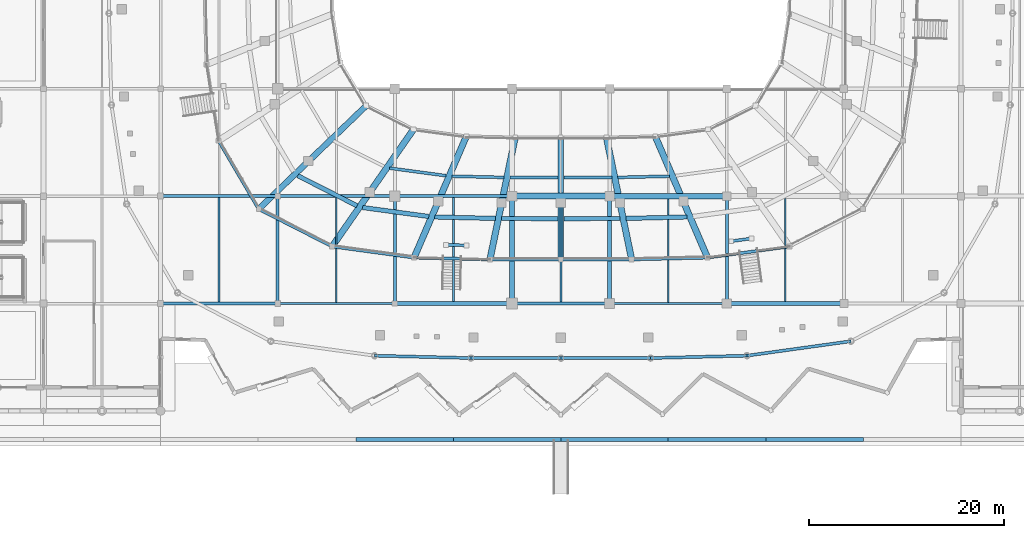
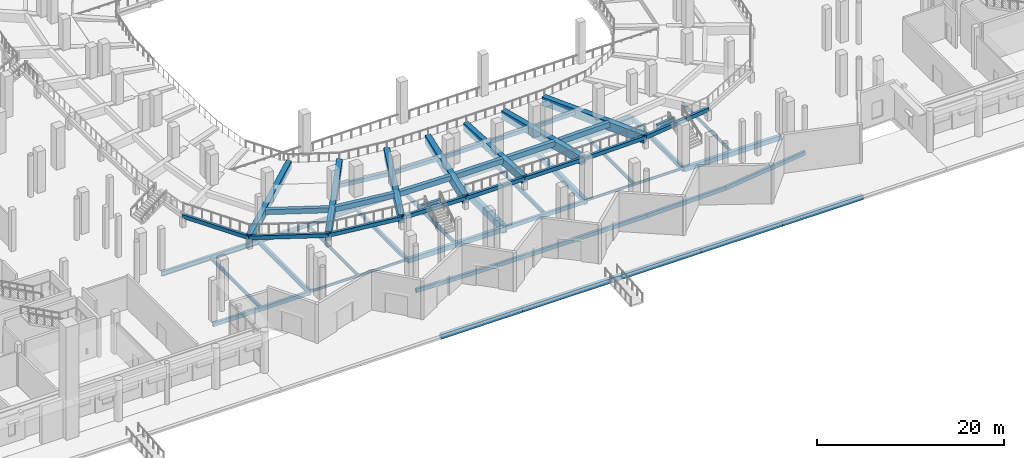
# One storey, part 19 of 120: 60 beams.
"""IFC4 building model written with IfcOpenShell, lengths in metres."""

from ifc_helpers import new_model, si_unit, direction, frame, origin, origin_2d, place, context, subcontext, project, spatial, rectangle, hollow_rectangle, i_section, extrude, material, material_profile, profile_set, type_object, element, save


model = new_model("IFC4")

# Units and contexts
model_context = context("Model", 3, precision=1e-05, world=origin(), true_north=direction((0.0, 1.0)))
body_context = subcontext(model_context, "Body", "Model", "MODEL_VIEW")
ifc_project = project(units=[si_unit("LENGTHUNIT", "METRE"), si_unit("AREAUNIT", "SQUARE_METRE"), si_unit("VOLUMEUNIT", "CUBIC_METRE"), si_unit("PLANEANGLEUNIT", "RADIAN"), si_unit("MASSUNIT", "GRAM", prefix="KILO")], contexts=[model_context])

# Site, building, storey
site_placement = place(None, origin())
site = spatial("IfcSite", under=ifc_project, at=site_placement, CompositionType="ELEMENT")
building_placement = place(site_placement, origin())
building = spatial("IfcBuilding", under=site, at=building_placement, Name="Luwafu Chhajja Arena", CompositionType="ELEMENT")
storey_placement = place(building_placement, origin())
storey = spatial("IfcBuildingStorey", under=building, at=storey_placement, Name="L00", CompositionType="ELEMENT", Elevation=0.0)

# Beams
ifc_material_1 = material(Name="Precast concrete C40/50", Category="concrete")
ifc_material_profile_1 = material_profile(ifc_material_1, rectangle(XDim=0.449951171875, YDim=0.64990234375, at=origin_2d()), Name="RC 450x650")
ifc_profile_set_1 = profile_set([ifc_material_profile_1], Name="Precast concrete C40/50")
beam_type_1 = type_object("IfcBeamType", Name="Bowl Tier Ring Beam RC 450x650", PredefinedType="BEAM", material=ifc_profile_set_1)
beam_1_placement = place(storey_placement, frame((72.055419921875, 24.095458984375, 1.304931640625), z_axis=(0.891546916396, -0.452928356216, 0.0), x_axis=(0.452928356216, 0.891546916396, 0.0)))
element("IfcBeam", 1, at=beam_1_placement, inside=storey, type_object=beam_type_1, Name="Lower Tier Ring Beam S21-B3", PredefinedType="BEAM", context=body_context, shape_type="SweptSolid", body=[
    extrude(rectangle(XDim=0.449951171875, YDim=0.64990234375, at=origin_2d()), origin(), (0.0, 0.0, 1.0), 6.807373046875),
])
beam_2_placement = place(storey_placement, frame((78.698486328125, 20.8330078125, 1.304931640625), z_axis=(0.990929994437, -0.134379113429, 0.0), x_axis=(0.134379113429, 0.990929994437, 0.0)))
element("IfcBeam", 2, at=beam_2_placement, inside=storey, type_object=beam_type_1, Name="Lower Tier Ring Beam S22-B3", PredefinedType="BEAM", context=body_context, shape_type="SweptSolid", body=[
    extrude(rectangle(XDim=0.449951171875, YDim=0.64990234375, at=origin_2d()), origin(), (0.0, 0.0, 1.0), 6.842041015625),
])
beam_3_placement = place(storey_placement, frame((86.085693359375, 19.865234375, 1.304931640625), z_axis=(0.999710285988, -0.024069567704, 0.0), x_axis=(0.024069567704, 0.999710285988, 0.0)))
element("IfcBeam", 3, at=beam_3_placement, inside=storey, type_object=beam_type_1, Name="Lower Tier Ring Beam S23-B3", PredefinedType="BEAM", context=body_context, shape_type="SweptSolid", body=[
    extrude(rectangle(XDim=0.449951171875, YDim=0.64990234375, at=origin_2d()), origin(), (0.0, 0.0, 1.0), 6.227783203125),
])
for number, where, z_axis, x_axis, name in (
    (4, (92.921630859375, 19.70751953125, 1.304931640625), (0.999999248071, -0.001226318428, 0.0), (0.001226318428, 0.999999248071, 0.0), "Lower Tier Ring Beam S24-B3"),
    (5, (99.304931640625, 19.700439453125, 1.304931640625), (0.999999248071, 0.001226318428, 0.0), (-0.001226318428, 0.999999248071, 0.0), "Lower Tier Ring Beam S25-B3"),
):
    element("IfcBeam", number, at=place(storey_placement, frame(where, z_axis=z_axis, x_axis=x_axis)), inside=storey, type_object=beam_type_1, Name=name, PredefinedType="BEAM", context=body_context, shape_type="SweptSolid", body=[
        extrude(rectangle(XDim=0.449951171875, YDim=0.64990234375, at=origin_2d()), origin(), (0.0, 0.0, 1.0), 5.7734375),
    ])
beam_4_placement = place(storey_placement, frame((105.688232421875, 19.71533203125, 1.304931640625), z_axis=(0.999710285988, 0.024069567704, 0.0), x_axis=(-0.024069567704, 0.999710285988, 0.0)))
element("IfcBeam", 6, at=beam_4_placement, inside=storey, type_object=beam_type_1, Name="Lower Tier Ring Beam S26-B3", PredefinedType="BEAM", context=body_context, shape_type="SweptSolid", body=[
    extrude(rectangle(XDim=0.449951171875, YDim=0.64990234375, at=origin_2d()), origin(), (0.0, 0.0, 1.0), 6.227783203125),
])
ifc_material_2 = material(Name="Steel S355", Category="steel")
ifc_material_profile_2 = material_profile(ifc_material_2, i_section(OverallWidth=0.165771484375, OverallDepth=0.306640625, WebThickness=0.006591796875, FlangeThickness=0.01171875, at=origin_2d()), Name="UB 305x165x46")
ifc_profile_set_2 = profile_set([ifc_material_profile_2], Name="Steel S355")
beam_type_2 = type_object("IfcBeamType", Name="Concourse Edge Spandrel Beam UB 305x165x46", PredefinedType="SPANDREL", material=ifc_profile_set_2)
for number, where, z_axis, x_axis, name in (
    (7, (70.0, 11.0, -0.50341796875), (1.0, 0.0, 0.0), (0.0, 1.0, 0.0), "L00 Grid Beam 7-8/B"),
    (8, (104.0, 11.0, -0.50341796875), (1.0, 0.0, 0.0), (0.0, 1.0, 0.0), "L00 Grid Beam 10-11/B"),
):
    element("IfcBeam", number, at=place(storey_placement, frame(where, z_axis=z_axis, x_axis=x_axis)), inside=storey, type_object=beam_type_2, Name=name, PredefinedType="SPANDREL", context=body_context, shape_type="SweptSolid", body=[
        extrude(i_section(OverallWidth=0.165771484375, OverallDepth=0.306640625, WebThickness=0.006591796875, FlangeThickness=0.01171875, at=origin_2d()), origin(), (0.0, 0.0, 1.0), 12.0),
    ])
ifc_material_3 = material(Name="Concrete C35/45", Category="concrete")
ifc_material_profile_3 = material_profile(ifc_material_3, rectangle(XDim=0.60009765625, YDim=0.89990234375, at=origin_2d()), Name="RC 600x900")
ifc_profile_set_3 = profile_set([ifc_material_profile_3], Name="Concrete C35/45")
beam_type_3 = type_object("IfcBeamType", Name="Concourse Primary Girder RC 600x900", PredefinedType="BEAM", material=ifc_profile_set_3)
beam_5_placement = place(storey_placement, frame((94.0, 22.0, -0.800048828125), z_axis=(1.0, 0.0, 0.0), x_axis=(0.0, 1.0, 0.0)))
element("IfcBeam", 9, at=beam_5_placement, inside=storey, type_object=beam_type_3, Name="L00 Grid Beam 9-10/C", PredefinedType="BEAM", context=body_context, shape_type="SweptSolid", body=[
    extrude(rectangle(XDim=0.60009765625, YDim=0.89990234375, at=origin_2d()), origin(), (0.0, 0.0, 1.0), 10.0),
])
ifc_material_profile_4 = material_profile(ifc_material_3, rectangle(XDim=0.550048828125, YDim=0.949951171875, at=origin_2d()), Name="RC 550x950")
ifc_profile_set_4 = profile_set([ifc_material_profile_4], Name="Concrete C35/45")
beam_type_4 = type_object("IfcBeamType", Name="Concourse Radial Girder RC 550x950", PredefinedType="BEAM", material=ifc_profile_set_4)
beam_6_placement = place(storey_placement, frame((104.0, 22.0, -0.824951171875), z_axis=(1.0, 0.0, 0.0), x_axis=(0.0, 1.0, 0.0)))
element("IfcBeam", 10, at=beam_6_placement, inside=storey, type_object=beam_type_4, Name="L00 Grid Beam 10-11/C", PredefinedType="BEAM", context=body_context, shape_type="SweptSolid", body=[
    extrude(rectangle(XDim=0.550048828125, YDim=0.949951171875, at=origin_2d()), origin(), (0.0, 0.0, 1.0), 12.0),
])
beam_7_placement = place(storey_placement, frame((94.0, 11.0, -0.824951171875), z_axis=(0.0, 1.0, 0.0), x_axis=(-1.0, 0.0, 0.0)))
element("IfcBeam", 11, at=beam_7_placement, inside=storey, type_object=beam_type_4, Name="L00 Grid Beam 9/B-C", PredefinedType="BEAM", context=body_context, shape_type="SweptSolid", body=[
    extrude(rectangle(XDim=0.550048828125, YDim=0.949951171875, at=origin_2d()), origin(), (0.0, 0.0, 1.0), 11.0),
])
ifc_material_profile_5 = material_profile(ifc_material_2, i_section(OverallWidth=0.15283203125, OverallDepth=0.45458984375, WebThickness=0.008056640625, FlangeThickness=0.01318359375, at=origin_2d()), Name="UB 457x152x60")
ifc_profile_set_5 = profile_set([ifc_material_profile_5], Name="Steel S355")
beam_type_5 = type_object("IfcBeamType", Name="Floor Joist UB 457x152x60", PredefinedType="JOIST", material=ifc_profile_set_5)
beam_8_placement = place(storey_placement, frame((76.0, 11.0830078125, -0.577392578125), z_axis=(0.0, 1.0, 0.0), x_axis=(-1.0, 0.0, 0.0)))
element("IfcBeam", 12, at=beam_8_placement, inside=storey, type_object=beam_type_5, Name="L00 Secondary Joist 7-8/B", PredefinedType="JOIST", context=body_context, shape_type="SweptSolid", body=[
    extrude(i_section(OverallWidth=0.15283203125, OverallDepth=0.45458984375, WebThickness=0.008056640625, FlangeThickness=0.01318359375, at=origin_2d()), origin(), (0.0, 0.0, 1.0), 10.76708984375),
])
beam_9_placement = place(storey_placement, frame((122.0, 11.199951171875, -0.577392578125), z_axis=(0.0, 1.0, 0.0), x_axis=(-1.0, 0.0, 0.0)))
element("IfcBeam", 13, at=beam_9_placement, inside=storey, type_object=beam_type_5, Name="L00 Secondary Joist 11-12/B", PredefinedType="JOIST", context=body_context, shape_type="SweptSolid", body=[
    extrude(i_section(OverallWidth=0.15283203125, OverallDepth=0.45458984375, WebThickness=0.008056640625, FlangeThickness=0.01318359375, at=origin_2d()), origin(), (0.0, 0.0, 1.0), 10.550048828125),
])
ifc_material_profile_6 = material_profile(ifc_material_2, i_section(OverallWidth=0.19140625, OverallDepth=0.4599609375, WebThickness=0.010009765625, FlangeThickness=0.01611328125, at=origin_2d()), Name="UB 457x191x82")
ifc_profile_set_6 = profile_set([ifc_material_profile_6], Name="Steel S355")
beam_type_6 = type_object("IfcBeamType", Name="Floor Joist UB 457x191x82", PredefinedType="JOIST", material=ifc_profile_set_6)
beam_10_placement = place(storey_placement, frame((64.0, 11.14990234375, -0.580078125), z_axis=(0.0, 1.0, 0.0), x_axis=(-1.0, 0.0, 0.0)))
element("IfcBeam", 14, at=beam_10_placement, inside=storey, type_object=beam_type_6, Name="L00 Secondary Joist 6-7/B", PredefinedType="JOIST", context=body_context, shape_type="SweptSolid", body=[
    extrude(i_section(OverallWidth=0.19140625, OverallDepth=0.4599609375, WebThickness=0.010009765625, FlangeThickness=0.01611328125, at=origin_2d()), origin(), (0.0, 0.0, 1.0), 10.7001953125),
])
beam_11_placement = place(storey_placement, frame((110.0, 11.0830078125, -0.580078125), z_axis=(0.0, 1.0, 0.0), x_axis=(-1.0, 0.0, 0.0)))
element("IfcBeam", 15, at=beam_11_placement, inside=storey, type_object=beam_type_6, Name="L00 Secondary Joist 10-11/B", PredefinedType="JOIST", context=body_context, shape_type="SweptSolid", body=[
    extrude(i_section(OverallWidth=0.19140625, OverallDepth=0.4599609375, WebThickness=0.010009765625, FlangeThickness=0.01611328125, at=origin_2d()), origin(), (0.0, 0.0, 1.0), 10.64208984375),
])
ifc_material_profile_7 = material_profile(ifc_material_2, i_section(OverallWidth=0.2099609375, OverallDepth=0.53662109375, WebThickness=0.0107421875, FlangeThickness=0.017333984375, at=origin_2d()), Name="UB 533x210x101")
ifc_profile_set_7 = profile_set([ifc_material_profile_7], Name="Steel S355")
beam_type_7 = type_object("IfcBeamType", Name="Floor Joist UB 533x210x101", PredefinedType="JOIST", material=ifc_profile_set_7)
beam_12_placement = place(storey_placement, frame((88.0, 11.199951171875, -0.618408203125), z_axis=(0.0, 1.0, 0.0), x_axis=(-1.0, 0.0, 0.0)))
element("IfcBeam", 16, at=beam_12_placement, inside=storey, type_object=beam_type_7, Name="L00 Secondary Joist 8-9/B", PredefinedType="JOIST", context=body_context, shape_type="SweptSolid", body=[
    extrude(i_section(OverallWidth=0.2099609375, OverallDepth=0.53662109375, WebThickness=0.0107421875, FlangeThickness=0.017333984375, at=origin_2d()), origin(), (0.0, 0.0, 1.0), 10.650146484375),
])
ifc_material_profile_8 = material_profile(ifc_material_2, i_section(OverallWidth=0.209228515625, OverallDepth=0.533203125, WebThickness=0.010009765625, FlangeThickness=0.015625, at=origin_2d()), Name="UB 533x210x92")
ifc_profile_set_8 = profile_set([ifc_material_profile_8], Name="Steel S355")
beam_type_8 = type_object("IfcBeamType", Name="Floor Joist UB 533x210x92", PredefinedType="JOIST", material=ifc_profile_set_8)
beam_13_placement = place(storey_placement, frame((99.0, 11.14990234375, -0.616455078125), z_axis=(0.0, 1.0, 0.0), x_axis=(-1.0, 0.0, 0.0)))
element("IfcBeam", 17, at=beam_13_placement, inside=storey, type_object=beam_type_8, Name="L00 Secondary Joist 9-10/B", PredefinedType="JOIST", context=body_context, shape_type="SweptSolid", body=[
    extrude(i_section(OverallWidth=0.209228515625, OverallDepth=0.533203125, WebThickness=0.010009765625, FlangeThickness=0.015625, at=origin_2d()), origin(), (0.0, 0.0, 1.0), 10.550048828125),
])
ifc_material_profile_9 = material_profile(ifc_material_2, hollow_rectangle(XDim=0.300048828125, YDim=0.5, WallThickness=0.02001953125, at=origin_2d()), Name="RHS 500x300x20")
ifc_profile_set_9 = profile_set([ifc_material_profile_9], Name="Steel S355")
beam_type_9 = type_object("IfcBeamType", Name="Pleated Drum Spandrel Beam RHS 500x300", PredefinedType="SPANDREL", material=ifc_profile_set_9)
beam_14_placement = place(storey_placement, frame((58.0, 11.0, -0.60009765625), z_axis=(1.0, 0.0, 0.0), x_axis=(0.0, 1.0, 0.0)))
element("IfcBeam", 18, at=beam_14_placement, inside=storey, type_object=beam_type_9, Name="L00 Grid Beam 6-7/B", PredefinedType="SPANDREL", context=body_context, shape_type="SweptSolid", body=[
    extrude(hollow_rectangle(XDim=0.300048828125, YDim=0.5, WallThickness=0.02001953125, at=origin_2d()), origin(), (0.0, 0.0, 1.0), 12.0),
])
beam_15_placement = place(storey_placement, frame((94.0, 11.0, -0.60009765625), z_axis=(1.0, 0.0, 0.0), x_axis=(0.0, 1.0, 0.0)))
element("IfcBeam", 19, at=beam_15_placement, inside=storey, type_object=beam_type_9, Name="L00 Grid Beam 9-10/B", PredefinedType="SPANDREL", context=body_context, shape_type="SweptSolid", body=[
    extrude(hollow_rectangle(XDim=0.300048828125, YDim=0.5, WallThickness=0.02001953125, at=origin_2d()), origin(), (0.0, 0.0, 1.0), 10.0),
])
beam_16_placement = place(storey_placement, frame((79.932861328125, 5.6552734375, -0.60009765625), z_axis=(0.999695420837, -0.024679253567, 0.0), x_axis=(0.024679253567, 0.999695420837, 0.0)))
element("IfcBeam", 20, at=beam_16_placement, inside=storey, type_object=beam_type_9, Name="L00 Drum Ring Spandrel D23-D24", PredefinedType="SPANDREL", context=body_context, shape_type="SweptSolid", body=[
    extrude(hollow_rectangle(XDim=0.300048828125, YDim=0.5, WallThickness=0.02001953125, at=origin_2d()), origin(), (0.0, 0.0, 1.0), 9.86279296875),
])
for number, where, z_axis, x_axis, name in (
    (21, (89.792724609375, 5.411865234375, -0.60009765625), (0.999999155928, -0.001299285621, 0.0), (0.001299285621, 0.999999155928, 0.0), "L00 Drum Ring Spandrel D24-D25"),
    (22, (99.0, 5.39990234375, -0.60009765625), (0.999999155928, 0.001299285621, 0.0), (-0.001299285621, 0.999999155928, 0.0), "L00 Drum Ring Spandrel D25-D26"),
):
    element("IfcBeam", number, at=place(storey_placement, frame(where, z_axis=z_axis, x_axis=x_axis)), inside=storey, type_object=beam_type_9, Name=name, PredefinedType="SPANDREL", context=body_context, shape_type="SweptSolid", body=[
        extrude(hollow_rectangle(XDim=0.300048828125, YDim=0.5, WallThickness=0.02001953125, at=origin_2d()), origin(), (0.0, 0.0, 1.0), 9.207275390625),
    ])
beam_17_placement = place(storey_placement, frame((108.207275390625, 5.411865234375, -0.60009765625), z_axis=(0.999695420837, 0.024679253567, 0.0), x_axis=(-0.024679253567, 0.999695420837, 0.0)))
element("IfcBeam", 23, at=beam_17_placement, inside=storey, type_object=beam_type_9, Name="L00 Drum Ring Spandrel D26-D27", PredefinedType="SPANDREL", context=body_context, shape_type="SweptSolid", body=[
    extrude(hollow_rectangle(XDim=0.300048828125, YDim=0.5, WallThickness=0.02001953125, at=origin_2d()), origin(), (0.0, 0.0, 1.0), 9.86279296875),
])
beam_18_placement = place(storey_placement, frame((118.067138671875, 5.6552734375, -0.60009765625), z_axis=(0.990458730054, 0.137809666058, 0.0), x_axis=(-0.137809666058, 0.990458730054, 0.0)))
element("IfcBeam", 24, at=beam_18_placement, inside=storey, type_object=beam_type_9, Name="L00 Drum Ring Spandrel D27-D28", PredefinedType="SPANDREL", context=body_context, shape_type="SweptSolid", body=[
    extrude(hollow_rectangle(XDim=0.300048828125, YDim=0.5, WallThickness=0.02001953125, at=origin_2d()), origin(), (0.0, 0.0, 1.0), 10.75341796875),
])
ifc_material_profile_10 = material_profile(ifc_material_3, rectangle(XDim=0.39990234375, YDim=0.60009765625, at=origin_2d()), Name="RC 400x600")
ifc_profile_set_10 = profile_set([ifc_material_profile_10], Name="Concrete C35/45")
beam_type_10 = type_object("IfcBeamType", Name="Podium Perimeter Spandrel RC 400x600", PredefinedType="SPANDREL", material=ifc_profile_set_10)
for number, where, z_axis, x_axis, name in (
    (25, (82.0, 11.0, -0.64990234375), (1.0, 0.0, 0.0), (0.0, 1.0, 0.0), "L00 Grid Beam 8-9/B"),
    (26, (116.0, 11.0, -0.64990234375), (1.0, 0.0, 0.0), (0.0, 1.0, 0.0), "L00 Grid Beam 11-12/B"),
):
    element("IfcBeam", number, at=place(storey_placement, frame(where, z_axis=z_axis, x_axis=x_axis)), inside=storey, type_object=beam_type_10, Name=name, PredefinedType="SPANDREL", context=body_context, shape_type="SweptSolid", body=[
        extrude(rectangle(XDim=0.39990234375, YDim=0.60009765625, at=origin_2d()), origin(), (0.0, 0.0, 1.0), 12.0),
    ])
beam_19_placement = place(storey_placement, frame((78.0, -2.949951171875, -0.659912109375), z_axis=(1.0, 0.0, 0.0), x_axis=(0.0, 1.0, 0.0)))
element("IfcBeam", 27, at=beam_19_placement, inside=storey, type_object=beam_type_10, Name="L00 Forecourt Plinth Edge Beam 08", PredefinedType="SPANDREL", context=body_context, shape_type="SweptSolid", body=[
    extrude(rectangle(XDim=0.39990234375, YDim=0.60009765625, at=origin_2d()), origin(), (0.0, 0.0, 1.0), 10.0),
])
for number, where, z_axis, x_axis, name in (
    (28, (88.0, -2.949951171875, -0.659912109375), (1.0, 0.0, 0.0), (0.0, 1.0, 0.0), "L00 Forecourt Plinth Edge Beam 09"),
    (29, (99.0, -2.949951171875, -0.659912109375), (1.0, 0.0, 0.0), (0.0, 1.0, 0.0), "L00 Forecourt Plinth Edge Beam 10"),
):
    element("IfcBeam", number, at=place(storey_placement, frame(where, z_axis=z_axis, x_axis=x_axis)), inside=storey, type_object=beam_type_10, Name=name, PredefinedType="SPANDREL", context=body_context, shape_type="SweptSolid", body=[
        extrude(rectangle(XDim=0.39990234375, YDim=0.60009765625, at=origin_2d()), origin(), (0.0, 0.0, 1.0), 11.0),
    ])
for number, where, z_axis, x_axis, name in (
    (30, (110.0, -2.949951171875, -0.659912109375), (1.0, 0.0, 0.0), (0.0, 1.0, 0.0), "L00 Forecourt Plinth Edge Beam 11"),
    (31, (120.0, -2.949951171875, -0.659912109375), (1.0, 0.0, 0.0), (0.0, 1.0, 0.0), "L00 Forecourt Plinth Edge Beam 12"),
):
    element("IfcBeam", number, at=place(storey_placement, frame(where, z_axis=z_axis, x_axis=x_axis)), inside=storey, type_object=beam_type_10, Name=name, PredefinedType="SPANDREL", context=body_context, shape_type="SweptSolid", body=[
        extrude(rectangle(XDim=0.39990234375, YDim=0.60009765625, at=origin_2d()), origin(), (0.0, 0.0, 1.0), 10.0),
    ])
ifc_material_4 = material(Name="Precast concrete C45/55", Category="concrete")
ifc_material_profile_11 = material_profile(ifc_material_4, rectangle(XDim=0.60009765625, YDim=1.0, at=origin_2d()), Name="PC 600x1000")
ifc_profile_set_11 = profile_set([ifc_material_profile_11], Name="Precast concrete C45/55")
beam_type_11 = type_object("IfcBeamType", Name="Precast Corner Bowl Raker PC 600x1000", PredefinedType="USERDEFINED", material=ifc_profile_set_11)
beam_20_placement = place(storey_placement, frame((79.0751953125, 31.27099609375, 0.580078125), z_axis=(-0.720075668487, -0.692387198367, 0.045727444604), x_axis=(0.693112226125, -0.720829690007, 0.0)))
element("IfcBeam", 32, at=beam_20_placement, inside=storey, type_object=beam_type_11, Name="Lower Bowl Raker RKR-L21", ObjectType="RAKER", PredefinedType="USERDEFINED", context=body_context, shape_type="SweptSolid", body=[
    extrude(rectangle(XDim=0.60009765625, YDim=1.0, at=origin_2d()), origin(), (0.0, 0.0, 1.0), 15.30712890625),
])
beam_21_placement = place(storey_placement, frame((99.0, 28.0, 0.580078125), z_axis=(0.0, -0.998435896042, 0.055908510038), x_axis=(1.0, 0.0, 0.0)))
element("IfcBeam", 33, at=beam_21_placement, inside=storey, type_object=beam_type_11, Name="Lower Bowl Raker RKR-L25", ObjectType="RAKER", PredefinedType="USERDEFINED", context=body_context, shape_type="SweptSolid", body=[
    extrude(rectangle(XDim=0.60009765625, YDim=1.0, at=origin_2d()), origin(), (0.0, 0.0, 1.0), 12.51953125),
])
ifc_material_profile_12 = material_profile(ifc_material_4, rectangle(XDim=0.64990234375, YDim=1.10009765625, at=origin_2d()), Name="PC 650x1100")
ifc_profile_set_12 = profile_set([ifc_material_profile_12], Name="Precast concrete C45/55")
beam_type_12 = type_object("IfcBeamType", Name="Precast Lower Bowl Raker PC 650x1100", PredefinedType="USERDEFINED", material=ifc_profile_set_12)
beam_22_placement = place(storey_placement, frame((83.91650390625, 28.846923828125, 0.530029296875), z_axis=(-0.570003729525, -0.820249676085, 0.047814403785), x_axis=(0.821188921344, -0.570656425059, 0.0)))
element("IfcBeam", 34, at=beam_22_placement, inside=storey, type_object=beam_type_12, Name="Lower Bowl Raker RKR-L22", ObjectType="RAKER", PredefinedType="USERDEFINED", context=body_context, shape_type="SweptSolid", body=[
    extrude(rectangle(XDim=0.64990234375, YDim=1.10009765625, at=origin_2d()), origin(), (0.0, 0.0, 1.0), 14.638916015625),
])
beam_23_placement = place(storey_placement, frame((89.322265625, 28.12451171875, 0.530029296875), z_axis=(-0.395097554178, -0.917185602785, 0.051657455665), x_axis=(0.918411808978, -0.395625769041, 0.0)))
element("IfcBeam", 35, at=beam_23_placement, inside=storey, type_object=beam_type_12, Name="Lower Bowl Raker RKR-L23", ObjectType="RAKER", PredefinedType="USERDEFINED", context=body_context, shape_type="SweptSolid", body=[
    extrude(rectangle(XDim=0.64990234375, YDim=1.10009765625, at=origin_2d()), origin(), (0.0, 0.0, 1.0), 13.5498046875),
])
for number, where, z_axis, x_axis, name in (
    (36, (94.326904296875, 28.005859375, 0.530029296875), (-0.20227940935, -0.97779524478, 0.054767689735), (0.979265000346, -0.202583462053, 0.0), "Lower Bowl Raker RKR-L24"),
    (37, (103.673095703125, 28.005859375, 0.530029296875), (0.20227940935, -0.97779524478, 0.054767689735), (0.979265000346, 0.202583462053, 0.0), "Lower Bowl Raker RKR-L26"),
):
    element("IfcBeam", number, at=place(storey_placement, frame(where, z_axis=z_axis, x_axis=x_axis)), inside=storey, type_object=beam_type_12, Name=name, ObjectType="RAKER", PredefinedType="USERDEFINED", context=body_context, shape_type="SweptSolid", body=[
        extrude(rectangle(XDim=0.64990234375, YDim=1.10009765625, at=origin_2d()), origin(), (0.0, 0.0, 1.0), 12.7802734375),
    ])
beam_24_placement = place(storey_placement, frame((108.677734375, 28.12451171875, 0.530029296875), z_axis=(0.395097554178, -0.917185602785, 0.051657455665), x_axis=(0.918411808978, 0.395625769041, 0.0)))
element("IfcBeam", 38, at=beam_24_placement, inside=storey, type_object=beam_type_12, Name="Lower Bowl Raker RKR-L27", ObjectType="RAKER", PredefinedType="USERDEFINED", context=body_context, shape_type="SweptSolid", body=[
    extrude(rectangle(XDim=0.64990234375, YDim=1.10009765625, at=origin_2d()), origin(), (0.0, 0.0, 1.0), 13.5498046875),
])
ifc_material_profile_13 = material_profile(ifc_material_2, i_section(OverallWidth=0.300048828125, OverallDepth=0.5, WebThickness=0.014404296875, FlangeThickness=0.028076171875, at=origin_2d()), Name="HEB 500")
ifc_profile_set_13 = profile_set([ifc_material_profile_13], Name="Steel S355")
beam_type_13 = type_object("IfcBeamType", Name="Steel Atrium Tie Girder HEB 500", PredefinedType="BEAM", material=ifc_profile_set_13)
beam_25_placement = place(storey_placement, frame((70.0, 22.0, -0.60009765625), z_axis=(1.0, 0.0, 0.0), x_axis=(0.0, 1.0, 0.0)))
element("IfcBeam", 39, at=beam_25_placement, inside=storey, type_object=beam_type_13, Name="L00 Grid Beam 7-8/C", PredefinedType="BEAM", context=body_context, shape_type="SweptSolid", body=[
    extrude(i_section(OverallWidth=0.300048828125, OverallDepth=0.5, WebThickness=0.014404296875, FlangeThickness=0.028076171875, at=origin_2d()), origin(), (0.0, 0.0, 1.0), 12.0),
])
beam_26_placement = place(storey_placement, frame((82.0, 11.0, -0.60009765625), z_axis=(0.0, 1.0, 0.0), x_axis=(-1.0, 0.0, 0.0)))
element("IfcBeam", 40, at=beam_26_placement, inside=storey, type_object=beam_type_13, Name="L00 Grid Beam 8/B-C", PredefinedType="BEAM", context=body_context, shape_type="SweptSolid", body=[
    extrude(i_section(OverallWidth=0.300048828125, OverallDepth=0.5, WebThickness=0.014404296875, FlangeThickness=0.028076171875, at=origin_2d()), origin(), (0.0, 0.0, 1.0), 11.0),
])
ifc_material_profile_14 = material_profile(ifc_material_2, i_section(OverallWidth=0.300048828125, OverallDepth=0.60009765625, WebThickness=0.015380859375, FlangeThickness=0.030029296875, at=origin_2d()), Name="HEB 600")
ifc_profile_set_14 = profile_set([ifc_material_profile_14], Name="Steel S355")
beam_type_14 = type_object("IfcBeamType", Name="Steel Gallery Girder HEB 600", PredefinedType="BEAM", material=ifc_profile_set_14)
beam_27_placement = place(storey_placement, frame((58.0, 22.0, -0.64990234375), z_axis=(1.0, 0.0, 0.0), x_axis=(0.0, 1.0, 0.0)))
element("IfcBeam", 41, at=beam_27_placement, inside=storey, type_object=beam_type_14, Name="L00 Grid Beam 6-7/C", PredefinedType="BEAM", context=body_context, shape_type="SweptSolid", body=[
    extrude(i_section(OverallWidth=0.300048828125, OverallDepth=0.60009765625, WebThickness=0.015380859375, FlangeThickness=0.030029296875, at=origin_2d()), origin(), (0.0, 0.0, 1.0), 12.0),
])
ifc_material_profile_15 = material_profile(ifc_material_2, i_section(OverallWidth=0.30712890625, OverallDepth=0.6201171875, WebThickness=0.01416015625, FlangeThickness=0.023681640625, at=origin_2d()), Name="UB 610x305x179")
ifc_profile_set_15 = profile_set([ifc_material_profile_15], Name="Steel S355")
beam_type_15 = type_object("IfcBeamType", Name="Steel Hospitality Girder UB 610x305x179", PredefinedType="BEAM", material=ifc_profile_set_15)
for number, where, z_axis, x_axis, name in (
    (42, (70.0, 11.0, -0.66015625), (0.0, 1.0, 0.0), (-1.0, 0.0, 0.0), "L00 Grid Beam 7/B-C"),
    (43, (116.0, 11.0, -0.66015625), (0.0, 1.0, 0.0), (-1.0, 0.0, 0.0), "L00 Grid Beam 11/B-C"),
):
    element("IfcBeam", number, at=place(storey_placement, frame(where, z_axis=z_axis, x_axis=x_axis)), inside=storey, type_object=beam_type_15, Name=name, PredefinedType="BEAM", context=body_context, shape_type="SweptSolid", body=[
        extrude(i_section(OverallWidth=0.30712890625, OverallDepth=0.6201171875, WebThickness=0.01416015625, FlangeThickness=0.023681640625, at=origin_2d()), origin(), (0.0, 0.0, 1.0), 11.0),
    ])
ifc_material_profile_16 = material_profile(ifc_material_2, i_section(OverallWidth=0.300048828125, OverallDepth=0.39990234375, WebThickness=0.013427734375, FlangeThickness=0.02392578125, at=origin_2d()), Name="HEB 400")
ifc_profile_set_16 = profile_set([ifc_material_profile_16], Name="Steel S355")
beam_type_16 = type_object("IfcBeamType", Name="Steel Rigging Grid Beam HEB 400", PredefinedType="BEAM", material=ifc_profile_set_16)
beam_28_placement = place(storey_placement, frame((82.0, 22.0, -0.550048828125), z_axis=(1.0, 0.0, 0.0), x_axis=(0.0, 1.0, 0.0)))
element("IfcBeam", 44, at=beam_28_placement, inside=storey, type_object=beam_type_16, Name="L00 Grid Beam 8-9/C", PredefinedType="BEAM", context=body_context, shape_type="SweptSolid", body=[
    extrude(i_section(OverallWidth=0.300048828125, OverallDepth=0.39990234375, WebThickness=0.013427734375, FlangeThickness=0.02392578125, at=origin_2d()), origin(), (0.0, 0.0, 1.0), 12.0),
])
ifc_material_profile_17 = material_profile(ifc_material_1, rectangle(XDim=0.300048828125, YDim=0.5, at=origin_2d()), Name="RC 300x500")
ifc_profile_set_17 = profile_set([ifc_material_profile_17], Name="Precast concrete C40/50")
beam_type_17 = type_object("IfcBeamType", Name="Tier Support Beam RC 300x500", PredefinedType="BEAM", material=ifc_profile_set_17)
beam_29_placement = place(storey_placement, frame((63.93798828125, 27.677001953125, 1.3798828125), z_axis=(0.506540670535, -0.862216068682, 0.0), x_axis=(0.862216068682, 0.506540670535, 0.0)))
element("IfcBeam", 45, at=beam_29_placement, inside=storey, type_object=beam_type_17, Name="Lower Tier Outer Ring Beam S20", PredefinedType="BEAM", context=body_context, shape_type="SweptSolid", body=[
    extrude(rectangle(XDim=0.300048828125, YDim=0.5, at=origin_2d()), origin(), (0.0, 0.0, 1.0), 8.123779296875),
])
beam_30_placement = place(storey_placement, frame((68.052978515625, 20.672607421875, 1.3798828125), z_axis=(0.890911425489, -0.45417709314, 0.0), x_axis=(0.45417709314, 0.890911425489, 0.0)))
element("IfcBeam", 46, at=beam_30_placement, inside=storey, type_object=beam_type_17, Name="Lower Tier Outer Ring Beam S21", PredefinedType="BEAM", context=body_context, shape_type="SweptSolid", body=[
    extrude(rectangle(XDim=0.300048828125, YDim=0.5, at=origin_2d()), origin(), (0.0, 0.0, 1.0), 8.43994140625),
])
beam_31_placement = place(storey_placement, frame((75.572265625, 16.83935546875, 1.3798828125), z_axis=(0.990867998355, -0.134835491751, 0.0), x_axis=(0.134835491751, 0.990867998355, 0.0)))
element("IfcBeam", 47, at=beam_31_placement, inside=storey, type_object=beam_type_17, Name="Lower Tier Outer Ring Beam S22", PredefinedType="BEAM", context=body_context, shape_type="SweptSolid", body=[
    extrude(rectangle(XDim=0.300048828125, YDim=0.5, at=origin_2d()), origin(), (0.0, 0.0, 1.0), 8.473876953125),
])
beam_32_placement = place(storey_placement, frame((81.458740234375, 24.867919921875, 0.8798828125), z_axis=(0.991070646103, -0.133337820715, 0.0), x_axis=(0.133337820715, 0.991070646103, 0.0)))
element("IfcBeam", 48, at=beam_32_placement, inside=storey, type_object=beam_type_17, Name="Lower Tier Ring Beam S22-B2", PredefinedType="BEAM", context=body_context, shape_type="SweptSolid", body=[
    extrude(rectangle(XDim=0.300048828125, YDim=0.5, at=origin_2d()), origin(), (0.0, 0.0, 1.0), 5.8427734375),
])
beam_33_placement = place(storey_placement, frame((83.96875, 15.69677734375, 1.3798828125), z_axis=(0.999709188612, -0.024115103237, 0.0), x_axis=(0.024115103237, 0.999709188612, 0.0)))
element("IfcBeam", 49, at=beam_33_placement, inside=storey, type_object=beam_type_17, Name="Lower Tier Outer Ring Beam S23", PredefinedType="BEAM", context=body_context, shape_type="SweptSolid", body=[
    extrude(rectangle(XDim=0.300048828125, YDim=0.5, at=origin_2d()), origin(), (0.0, 0.0, 1.0), 7.775146484375),
])
beam_34_placement = place(storey_placement, frame((87.8564453125, 24.041015625, 0.8798828125), z_axis=(0.99971544851, -0.023854182234, 0.0), x_axis=(0.023854182234, 0.99971544851, 0.0)))
element("IfcBeam", 50, at=beam_34_placement, inside=storey, type_object=beam_type_17, Name="Lower Tier Ring Beam S23-B2", PredefinedType="BEAM", context=body_context, shape_type="SweptSolid", body=[
    extrude(rectangle(XDim=0.300048828125, YDim=0.5, at=origin_2d()), origin(), (0.0, 0.0, 1.0), 5.311767578125),
])
beam_35_placement = place(storey_placement, frame((87.158447265625, 17.00830078125, 0.89990234375), z_axis=(0.999709654452, -0.024095783772, 0.0), x_axis=(0.024095783772, 0.999709654452, 0.0)))
element("IfcBeam", 51, at=beam_35_placement, inside=storey, type_object=beam_type_17, Name="L00 Vomitory Header Beam S23", PredefinedType="BEAM", context=body_context, shape_type="SweptSolid", body=[
    extrude(rectangle(XDim=0.300048828125, YDim=0.5, at=origin_2d()), origin(), (0.0, 0.0, 1.0), 2.300048828125),
])
beam_36_placement = place(storey_placement, frame((91.74169921875, 15.50927734375, 1.3798828125), z_axis=(0.999999183141, -0.001278169154, 0.0), x_axis=(0.001278169154, 0.999999183141, 0.0)))
element("IfcBeam", 52, at=beam_36_placement, inside=storey, type_object=beam_type_17, Name="Lower Tier Outer Ring Beam S24", PredefinedType="BEAM", context=body_context, shape_type="SweptSolid", body=[
    extrude(rectangle(XDim=0.300048828125, YDim=0.5, at=origin_2d()), origin(), (0.0, 0.0, 1.0), 7.25830078125),
])
beam_37_placement = place(storey_placement, frame((93.776611328125, 23.906494140625, 0.8798828125), z_axis=(0.999999230033, -0.001240940174, 0.0), x_axis=(0.001240940174, 0.999999230033, 0.0)))
element("IfcBeam", 53, at=beam_37_placement, inside=storey, type_object=beam_type_17, Name="Lower Tier Ring Beam S24-B2", PredefinedType="BEAM", context=body_context, shape_type="SweptSolid", body=[
    extrude(rectangle(XDim=0.300048828125, YDim=0.5, at=origin_2d()), origin(), (0.0, 0.0, 1.0), 4.91845703125),
])
beam_38_placement = place(storey_placement, frame((99.0, 15.5, 1.3798828125), z_axis=(0.999999183141, 0.001278169154, 0.0), x_axis=(-0.001278169154, 0.999999183141, 0.0)))
element("IfcBeam", 54, at=beam_38_placement, inside=storey, type_object=beam_type_17, Name="Lower Tier Outer Ring Beam S25", PredefinedType="BEAM", context=body_context, shape_type="SweptSolid", body=[
    extrude(rectangle(XDim=0.300048828125, YDim=0.5, at=origin_2d()), origin(), (0.0, 0.0, 1.0), 7.25830078125),
])
beam_39_placement = place(storey_placement, frame((99.304931640625, 23.900390625, 0.8798828125), z_axis=(0.999999230033, 0.001240940174, 0.0), x_axis=(-0.001240940174, 0.999999230033, 0.0)))
element("IfcBeam", 55, at=beam_39_placement, inside=storey, type_object=beam_type_17, Name="Lower Tier Ring Beam S25-B2", PredefinedType="BEAM", context=body_context, shape_type="SweptSolid", body=[
    extrude(rectangle(XDim=0.300048828125, YDim=0.5, at=origin_2d()), origin(), (0.0, 0.0, 1.0), 4.91845703125),
])
beam_40_placement = place(storey_placement, frame((106.25830078125, 15.50927734375, 1.3798828125), z_axis=(0.999709188612, 0.024115103237, 0.0), x_axis=(-0.024115103237, 0.999709188612, 0.0)))
element("IfcBeam", 56, at=beam_40_placement, inside=storey, type_object=beam_type_17, Name="Lower Tier Outer Ring Beam S26", PredefinedType="BEAM", context=body_context, shape_type="SweptSolid", body=[
    extrude(rectangle(XDim=0.300048828125, YDim=0.5, at=origin_2d()), origin(), (0.0, 0.0, 1.0), 7.775146484375),
])
beam_41_placement = place(storey_placement, frame((104.833251953125, 23.914306640625, 0.8798828125), z_axis=(0.99971544851, 0.023854182234, 0.0), x_axis=(-0.023854182234, 0.99971544851, 0.0)))
element("IfcBeam", 57, at=beam_41_placement, inside=storey, type_object=beam_type_17, Name="Lower Tier Ring Beam S26-B2", PredefinedType="BEAM", context=body_context, shape_type="SweptSolid", body=[
    extrude(rectangle(XDim=0.300048828125, YDim=0.5, at=origin_2d()), origin(), (0.0, 0.0, 1.0), 5.311767578125),
])
beam_42_placement = place(storey_placement, frame((114.03125, 15.69677734375, 1.3798828125), z_axis=(0.990867998355, 0.134835491751, 0.0), x_axis=(-0.134835491751, 0.990867998355, 0.0)))
element("IfcBeam", 58, at=beam_42_placement, inside=storey, type_object=beam_type_17, Name="Lower Tier Outer Ring Beam S27", PredefinedType="BEAM", context=body_context, shape_type="SweptSolid", body=[
    extrude(rectangle(XDim=0.300048828125, YDim=0.5, at=origin_2d()), origin(), (0.0, 0.0, 1.0), 8.473876953125),
])
beam_43_placement = place(storey_placement, frame((116.36376953125, 17.367919921875, 0.89990234375), z_axis=(0.990857921201, 0.134909525211, 0.0), x_axis=(-0.134909525211, 0.990857921201, 0.0)))
element("IfcBeam", 59, at=beam_43_placement, inside=storey, type_object=beam_type_17, Name="L00 Vomitory Header Beam S27", PredefinedType="BEAM", context=body_context, shape_type="SweptSolid", body=[
    extrude(rectangle(XDim=0.300048828125, YDim=0.5, at=origin_2d()), origin(), (0.0, 0.0, 1.0), 2.300048828125),
])
ifc_material_profile_18 = material_profile(ifc_material_3, rectangle(XDim=0.39990234375, YDim=0.699951171875, at=origin_2d()), Name="RC 400x700")
ifc_profile_set_18 = profile_set([ifc_material_profile_18], Name="Concrete C35/45")
beam_type_18 = type_object("IfcBeamType", Name="Wing Frame Beam RC 400x700", PredefinedType="BEAM", material=ifc_profile_set_18)
beam_44_placement = place(storey_placement, frame((104.0, 11.0, -0.699951171875), z_axis=(0.0, 1.0, 0.0), x_axis=(-1.0, 0.0, 0.0)))
element("IfcBeam", 60, at=beam_44_placement, inside=storey, type_object=beam_type_18, Name="L00 Grid Beam 10/B-C", PredefinedType="BEAM", context=body_context, shape_type="SweptSolid", body=[
    extrude(rectangle(XDim=0.39990234375, YDim=0.699951171875, at=origin_2d()), origin(), (0.0, 0.0, 1.0), 11.0),
])

save(model, "model.ifc")
